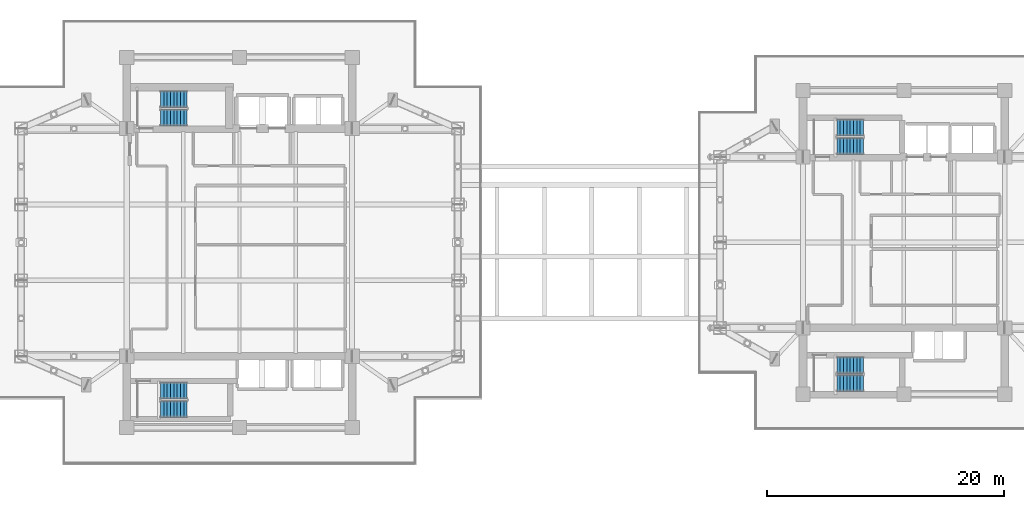
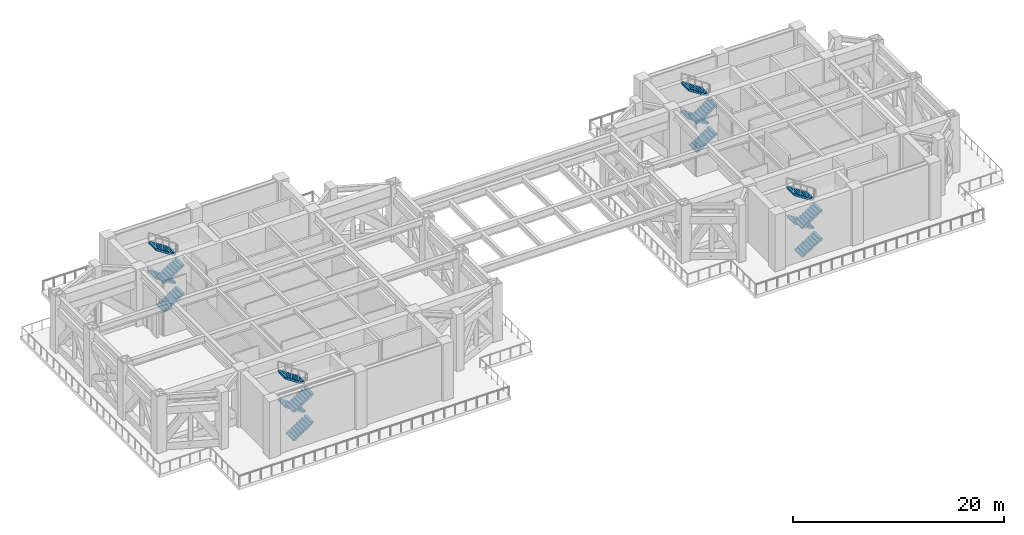
# One storey, part 14 of 21: 16 stair flights, 4 elements without a shape of their own.
"""IFC4 building model written with IfcOpenShell, lengths in metres."""

from ifc_helpers import new_model, si_unit, direction, frame, origin, place, context, subcontext, project, spatial, polyline, outline, extrude, material, type_object, element, aggregate, save


model = new_model("IFC4")

# Units and contexts
model_context = context("Model", 3, precision=1e-05, world=origin(), true_north=direction((0.0, 1.0)))
body_context = subcontext(model_context, "Body", "Model", "MODEL_VIEW")
ifc_project = project(units=[si_unit("LENGTHUNIT", "METRE"), si_unit("AREAUNIT", "SQUARE_METRE"), si_unit("VOLUMEUNIT", "CUBIC_METRE"), si_unit("PLANEANGLEUNIT", "RADIAN"), si_unit("MASSUNIT", "GRAM", prefix="KILO")], contexts=[model_context])

# Site, building, storey
site_placement = place(None, origin())
site = spatial("IfcSite", under=ifc_project, at=site_placement, CompositionType="ELEMENT")
building_placement = place(site_placement, origin())
building = spatial("IfcBuilding", under=site, at=building_placement, Name="Mirazonda Arch Towers", CompositionType="ELEMENT")
storey_placement = place(building_placement, frame((0.0, 0.0, 81.800048828125)))
storey = spatial("IfcBuildingStorey", under=building, at=storey_placement, Name="L23", CompositionType="ELEMENT", Elevation=81.800048828125)

# Stair, stair flights
ifc_material = material(Name="Concrete C40/50", Category="concrete")
stair_type = type_object("IfcStairType", Name="STAIR-CORE-1400", PredefinedType="HALF_TURN_STAIR", material=ifc_material)
stair_1_placement = place(storey_placement, origin())
stair_1 = element("IfcStair", 1, at=stair_1_placement, inside=storey, type_object=stair_type, Name="L23 Protected Exit Stair ST-T1N", PredefinedType="HALF_TURN_STAIR")
stair_flight_type = type_object("IfcStairFlightType", Name="FLIGHT-1400", PredefinedType="STRAIGHT", material=ifc_material)
stair_flight_1_placement = place(storey_placement, frame((13.85009765625, 38.52001953125, 0.0), z_axis=(0.0, 0.0, 1.0), x_axis=(1.0, 0.0, 0.0)))
stair_flight_1 = element("IfcStairFlight", 2, at=stair_flight_1_placement, type_object=stair_flight_type, Name="ST-T1N flight 1", NumberOfRisers=9, NumberOfTreads=8, PredefinedType="STRAIGHT", RiserHeight=0.183333333, TreadLength=0.28, context=body_context, shape_type="SweptSolid", body=[
    extrude(outline(polyline([(0.0, 0.0), (0.0, 0.183349609375), (0.280029296875, 0.183349609375), (0.280029296875, 0.36669921875), (0.56005859375, 0.36669921875), (0.56005859375, 0.550048828125), (0.840087890625, 0.550048828125), (0.840087890625, 0.7333984375), (1.1201171875, 0.7333984375), (1.1201171875, 0.916748046875), (1.39990234375, 0.916748046875), (1.39990234375, 1.10009765625), (1.679931640625, 1.10009765625), (1.679931640625, 1.283447265625), (1.9599609375, 1.283447265625), (1.9599609375, 1.466552734375), (2.239990234375, 1.466552734375), (2.239990234375, 1.64990234375), (2.239990234375, 1.275634765625), (0.2919921875, 0.0), (0.0, 0.0)])), frame((0.0, 0.699951171875, 0.0), z_axis=(0.0, -1.0, 0.0), x_axis=(1.0, 0.0, 0.0)), (0.0, 0.0, 1.0), 1.39990234375),
])
stair_flight_2_placement = place(storey_placement, frame((16.090087890625, 40.06005859375, 1.64990234375), z_axis=(0.0, 0.0, 1.0), x_axis=(-1.0, 0.0, 0.0)))
stair_flight_2 = element("IfcStairFlight", 3, at=stair_flight_2_placement, type_object=stair_flight_type, Name="ST-T1N flight 2", NumberOfRisers=9, NumberOfTreads=8, PredefinedType="STRAIGHT", RiserHeight=0.183333333, TreadLength=0.28, context=body_context, shape_type="SweptSolid", body=[
    extrude(outline(polyline([(0.0, 0.0), (0.0, 0.183349609375), (0.280029296875, 0.183349609375), (0.280029296875, 0.36669921875), (0.56005859375, 0.36669921875), (0.56005859375, 0.550048828125), (0.840087890625, 0.550048828125), (0.840087890625, 0.7333984375), (1.1201171875, 0.7333984375), (1.1201171875, 0.916748046875), (1.39990234375, 0.916748046875), (1.39990234375, 1.10009765625), (1.679931640625, 1.10009765625), (1.679931640625, 1.283447265625), (1.9599609375, 1.283447265625), (1.9599609375, 1.466552734375), (2.239990234375, 1.466552734375), (2.239990234375, 1.64990234375), (2.239990234375, 1.275634765625), (0.2919921875, 0.0), (0.0, 0.0)])), frame((0.0, 0.699951171875, 0.0), z_axis=(0.0, -1.0, 0.0), x_axis=(1.0, 0.0, 0.0)), (0.0, 0.0, 1.0), 1.39990234375),
])
stair_flight_3_placement = place(storey_placement, frame((13.85009765625, 38.52001953125, 3.300048828125), z_axis=(0.0, 0.0, 1.0), x_axis=(1.0, 0.0, 0.0)))
stair_flight_3 = element("IfcStairFlight", 4, at=stair_flight_3_placement, type_object=stair_flight_type, Name="ST-T1N flight 3", NumberOfRisers=9, NumberOfTreads=8, PredefinedType="STRAIGHT", RiserHeight=0.183333333, TreadLength=0.28, context=body_context, shape_type="SweptSolid", body=[
    extrude(outline(polyline([(0.0, 0.0), (0.0, 0.183349609375), (0.280029296875, 0.183349609375), (0.280029296875, 0.36669921875), (0.56005859375, 0.36669921875), (0.56005859375, 0.550048828125), (0.840087890625, 0.550048828125), (0.840087890625, 0.7333984375), (1.1201171875, 0.7333984375), (1.1201171875, 0.916748046875), (1.39990234375, 0.916748046875), (1.39990234375, 1.10009765625), (1.679931640625, 1.10009765625), (1.679931640625, 1.283447265625), (1.9599609375, 1.283447265625), (1.9599609375, 1.466552734375), (2.239990234375, 1.466552734375), (2.239990234375, 1.64990234375), (2.239990234375, 1.275634765625), (0.2919921875, 0.0), (0.0, 0.0)])), frame((0.0, 0.699951171875, 0.0), z_axis=(0.0, -1.0, 0.0), x_axis=(1.0, 0.0, 0.0)), (0.0, 0.0, 1.0), 1.39990234375),
])
stair_flight_4_placement = place(storey_placement, frame((16.090087890625, 40.06005859375, 4.949951171875), z_axis=(0.0, 0.0, 1.0), x_axis=(-1.0, 0.0, 0.0)))
stair_flight_4 = element("IfcStairFlight", 5, at=stair_flight_4_placement, type_object=stair_flight_type, Name="ST-T1N flight 4", NumberOfRisers=9, NumberOfTreads=8, PredefinedType="STRAIGHT", RiserHeight=0.183333333, TreadLength=0.28, context=body_context, shape_type="SweptSolid", body=[
    extrude(outline(polyline([(0.0, 0.0), (0.0, 0.183349609375), (0.280029296875, 0.183349609375), (0.280029296875, 0.36669921875), (0.56005859375, 0.36669921875), (0.56005859375, 0.550048828125), (0.840087890625, 0.550048828125), (0.840087890625, 0.7333984375), (1.1201171875, 0.7333984375), (1.1201171875, 0.916748046875), (1.39990234375, 0.916748046875), (1.39990234375, 1.10009765625), (1.679931640625, 1.10009765625), (1.679931640625, 1.283447265625), (1.9599609375, 1.283447265625), (1.9599609375, 1.466552734375), (2.239990234375, 1.466552734375), (2.239990234375, 1.64990234375), (2.239990234375, 1.275634765625), (0.2919921875, 0.0), (0.0, 0.0)])), frame((0.0, 0.699951171875, 0.0), z_axis=(0.0, -1.0, 0.0), x_axis=(1.0, 0.0, 0.0)), (0.0, 0.0, 1.0), 1.39990234375),
])
aggregate(stair_1, [stair_flight_1, stair_flight_2, stair_flight_3, stair_flight_4])

stair_2_placement = place(storey_placement, origin())
stair_2 = element("IfcStair", 6, at=stair_2_placement, inside=storey, type_object=stair_type, Name="L23 Protected Exit Stair ST-T1S", PredefinedType="HALF_TURN_STAIR")
stair_flight_5_placement = place(storey_placement, frame((13.85009765625, 13.949951171875, 0.0), z_axis=(0.0, 0.0, 1.0), x_axis=(1.0, 0.0, 0.0)))
stair_flight_5 = element("IfcStairFlight", 7, at=stair_flight_5_placement, type_object=stair_flight_type, Name="ST-T1S flight 1", NumberOfRisers=9, NumberOfTreads=8, PredefinedType="STRAIGHT", RiserHeight=0.183333333, TreadLength=0.28, context=body_context, shape_type="SweptSolid", body=[
    extrude(outline(polyline([(0.0, 0.0), (0.0, 0.183349609375), (0.280029296875, 0.183349609375), (0.280029296875, 0.36669921875), (0.56005859375, 0.36669921875), (0.56005859375, 0.550048828125), (0.840087890625, 0.550048828125), (0.840087890625, 0.7333984375), (1.1201171875, 0.7333984375), (1.1201171875, 0.916748046875), (1.39990234375, 0.916748046875), (1.39990234375, 1.10009765625), (1.679931640625, 1.10009765625), (1.679931640625, 1.283447265625), (1.9599609375, 1.283447265625), (1.9599609375, 1.466552734375), (2.239990234375, 1.466552734375), (2.239990234375, 1.64990234375), (2.239990234375, 1.275634765625), (0.2919921875, 0.0), (0.0, 0.0)])), frame((0.0, 0.699951171875, 0.0), z_axis=(0.0, -1.0, 0.0), x_axis=(1.0, 0.0, 0.0)), (0.0, 0.0, 1.0), 1.39990234375),
])
stair_flight_6_placement = place(storey_placement, frame((16.090087890625, 15.489990234375, 1.64990234375), z_axis=(0.0, 0.0, 1.0), x_axis=(-1.0, 0.0, 0.0)))
stair_flight_6 = element("IfcStairFlight", 8, at=stair_flight_6_placement, type_object=stair_flight_type, Name="ST-T1S flight 2", NumberOfRisers=9, NumberOfTreads=8, PredefinedType="STRAIGHT", RiserHeight=0.183333333, TreadLength=0.28, context=body_context, shape_type="SweptSolid", body=[
    extrude(outline(polyline([(0.0, 0.0), (0.0, 0.183349609375), (0.280029296875, 0.183349609375), (0.280029296875, 0.36669921875), (0.56005859375, 0.36669921875), (0.56005859375, 0.550048828125), (0.840087890625, 0.550048828125), (0.840087890625, 0.7333984375), (1.1201171875, 0.7333984375), (1.1201171875, 0.916748046875), (1.39990234375, 0.916748046875), (1.39990234375, 1.10009765625), (1.679931640625, 1.10009765625), (1.679931640625, 1.283447265625), (1.9599609375, 1.283447265625), (1.9599609375, 1.466552734375), (2.239990234375, 1.466552734375), (2.239990234375, 1.64990234375), (2.239990234375, 1.275634765625), (0.2919921875, 0.0), (0.0, 0.0)])), frame((0.0, 0.699951171875, 0.0), z_axis=(0.0, -1.0, 0.0), x_axis=(1.0, 0.0, 0.0)), (0.0, 0.0, 1.0), 1.39990234375),
])
stair_flight_7_placement = place(storey_placement, frame((13.85009765625, 13.949951171875, 3.300048828125), z_axis=(0.0, 0.0, 1.0), x_axis=(1.0, 0.0, 0.0)))
stair_flight_7 = element("IfcStairFlight", 9, at=stair_flight_7_placement, type_object=stair_flight_type, Name="ST-T1S flight 3", NumberOfRisers=9, NumberOfTreads=8, PredefinedType="STRAIGHT", RiserHeight=0.183333333, TreadLength=0.28, context=body_context, shape_type="SweptSolid", body=[
    extrude(outline(polyline([(0.0, 0.0), (0.0, 0.183349609375), (0.280029296875, 0.183349609375), (0.280029296875, 0.36669921875), (0.56005859375, 0.36669921875), (0.56005859375, 0.550048828125), (0.840087890625, 0.550048828125), (0.840087890625, 0.7333984375), (1.1201171875, 0.7333984375), (1.1201171875, 0.916748046875), (1.39990234375, 0.916748046875), (1.39990234375, 1.10009765625), (1.679931640625, 1.10009765625), (1.679931640625, 1.283447265625), (1.9599609375, 1.283447265625), (1.9599609375, 1.466552734375), (2.239990234375, 1.466552734375), (2.239990234375, 1.64990234375), (2.239990234375, 1.275634765625), (0.2919921875, 0.0), (0.0, 0.0)])), frame((0.0, 0.699951171875, 0.0), z_axis=(0.0, -1.0, 0.0), x_axis=(1.0, 0.0, 0.0)), (0.0, 0.0, 1.0), 1.39990234375),
])
stair_flight_8_placement = place(storey_placement, frame((16.090087890625, 15.489990234375, 4.949951171875), z_axis=(0.0, 0.0, 1.0), x_axis=(-1.0, 0.0, 0.0)))
stair_flight_8 = element("IfcStairFlight", 10, at=stair_flight_8_placement, type_object=stair_flight_type, Name="ST-T1S flight 4", NumberOfRisers=9, NumberOfTreads=8, PredefinedType="STRAIGHT", RiserHeight=0.183333333, TreadLength=0.28, context=body_context, shape_type="SweptSolid", body=[
    extrude(outline(polyline([(0.0, 0.0), (0.0, 0.183349609375), (0.280029296875, 0.183349609375), (0.280029296875, 0.36669921875), (0.56005859375, 0.36669921875), (0.56005859375, 0.550048828125), (0.840087890625, 0.550048828125), (0.840087890625, 0.7333984375), (1.1201171875, 0.7333984375), (1.1201171875, 0.916748046875), (1.39990234375, 0.916748046875), (1.39990234375, 1.10009765625), (1.679931640625, 1.10009765625), (1.679931640625, 1.283447265625), (1.9599609375, 1.283447265625), (1.9599609375, 1.466552734375), (2.239990234375, 1.466552734375), (2.239990234375, 1.64990234375), (2.239990234375, 1.275634765625), (0.2919921875, 0.0), (0.0, 0.0)])), frame((0.0, 0.699951171875, 0.0), z_axis=(0.0, -1.0, 0.0), x_axis=(1.0, 0.0, 0.0)), (0.0, 0.0, 1.0), 1.39990234375),
])
aggregate(stair_2, [stair_flight_5, stair_flight_6, stair_flight_7, stair_flight_8])

stair_3_placement = place(storey_placement, origin())
stair_3 = element("IfcStair", 11, at=stair_3_placement, inside=storey, type_object=stair_type, Name="L23 Protected Exit Stair ST-T2N", PredefinedType="HALF_TURN_STAIR")
stair_flight_9_placement = place(storey_placement, frame((70.85009765625, 36.1201171875, 0.0), z_axis=(0.0, 0.0, 1.0), x_axis=(1.0, 0.0, 0.0)))
stair_flight_9 = element("IfcStairFlight", 12, at=stair_flight_9_placement, type_object=stair_flight_type, Name="ST-T2N flight 1", NumberOfRisers=9, NumberOfTreads=8, PredefinedType="STRAIGHT", RiserHeight=0.183333333, TreadLength=0.28, context=body_context, shape_type="SweptSolid", body=[
    extrude(outline(polyline([(0.0, 0.0), (0.0, 0.183349609375), (0.280029296875, 0.183349609375), (0.280029296875, 0.36669921875), (0.56005859375, 0.36669921875), (0.56005859375, 0.550048828125), (0.840087890625, 0.550048828125), (0.840087890625, 0.7333984375), (1.1201171875, 0.7333984375), (1.1201171875, 0.916748046875), (1.39990234375, 0.916748046875), (1.39990234375, 1.10009765625), (1.679931640625, 1.10009765625), (1.679931640625, 1.283447265625), (1.9599609375, 1.283447265625), (1.9599609375, 1.466552734375), (2.239990234375, 1.466552734375), (2.239990234375, 1.64990234375), (2.239990234375, 1.275634765625), (0.2919921875, 0.0), (0.0, 0.0)])), frame((0.0, 0.699951171875, 0.0), z_axis=(0.0, -1.0, 0.0), x_axis=(1.0, 0.0, 0.0)), (0.0, 0.0, 1.0), 1.39990234375),
])
stair_flight_10_placement = place(storey_placement, frame((73.090087890625, 37.659912109375, 1.64990234375), z_axis=(0.0, 0.0, 1.0), x_axis=(-1.0, 0.0, 0.0)))
stair_flight_10 = element("IfcStairFlight", 13, at=stair_flight_10_placement, type_object=stair_flight_type, Name="ST-T2N flight 2", NumberOfRisers=9, NumberOfTreads=8, PredefinedType="STRAIGHT", RiserHeight=0.183333333, TreadLength=0.28, context=body_context, shape_type="SweptSolid", body=[
    extrude(outline(polyline([(0.0, 0.0), (0.0, 0.183349609375), (0.280029296875, 0.183349609375), (0.280029296875, 0.36669921875), (0.56005859375, 0.36669921875), (0.56005859375, 0.550048828125), (0.840087890625, 0.550048828125), (0.840087890625, 0.7333984375), (1.1201171875, 0.7333984375), (1.1201171875, 0.916748046875), (1.39990234375, 0.916748046875), (1.39990234375, 1.10009765625), (1.679931640625, 1.10009765625), (1.679931640625, 1.283447265625), (1.9599609375, 1.283447265625), (1.9599609375, 1.466552734375), (2.239990234375, 1.466552734375), (2.239990234375, 1.64990234375), (2.239990234375, 1.275634765625), (0.2919921875, 0.0), (0.0, 0.0)])), frame((0.0, 0.699951171875, 0.0), z_axis=(0.0, -1.0, 0.0), x_axis=(1.0, 0.0, 0.0)), (0.0, 0.0, 1.0), 1.39990234375),
])
stair_flight_11_placement = place(storey_placement, frame((70.85009765625, 36.1201171875, 3.300048828125), z_axis=(0.0, 0.0, 1.0), x_axis=(1.0, 0.0, 0.0)))
stair_flight_11 = element("IfcStairFlight", 14, at=stair_flight_11_placement, type_object=stair_flight_type, Name="ST-T2N flight 3", NumberOfRisers=9, NumberOfTreads=8, PredefinedType="STRAIGHT", RiserHeight=0.183333333, TreadLength=0.28, context=body_context, shape_type="SweptSolid", body=[
    extrude(outline(polyline([(0.0, 0.0), (0.0, 0.183349609375), (0.280029296875, 0.183349609375), (0.280029296875, 0.36669921875), (0.56005859375, 0.36669921875), (0.56005859375, 0.550048828125), (0.840087890625, 0.550048828125), (0.840087890625, 0.7333984375), (1.1201171875, 0.7333984375), (1.1201171875, 0.916748046875), (1.39990234375, 0.916748046875), (1.39990234375, 1.10009765625), (1.679931640625, 1.10009765625), (1.679931640625, 1.283447265625), (1.9599609375, 1.283447265625), (1.9599609375, 1.466552734375), (2.239990234375, 1.466552734375), (2.239990234375, 1.64990234375), (2.239990234375, 1.275634765625), (0.2919921875, 0.0), (0.0, 0.0)])), frame((0.0, 0.699951171875, 0.0), z_axis=(0.0, -1.0, 0.0), x_axis=(1.0, 0.0, 0.0)), (0.0, 0.0, 1.0), 1.39990234375),
])
stair_flight_12_placement = place(storey_placement, frame((73.090087890625, 37.659912109375, 4.949951171875), z_axis=(0.0, 0.0, 1.0), x_axis=(-1.0, 0.0, 0.0)))
stair_flight_12 = element("IfcStairFlight", 15, at=stair_flight_12_placement, type_object=stair_flight_type, Name="ST-T2N flight 4", NumberOfRisers=9, NumberOfTreads=8, PredefinedType="STRAIGHT", RiserHeight=0.183333333, TreadLength=0.28, context=body_context, shape_type="SweptSolid", body=[
    extrude(outline(polyline([(0.0, 0.0), (0.0, 0.183349609375), (0.280029296875, 0.183349609375), (0.280029296875, 0.36669921875), (0.56005859375, 0.36669921875), (0.56005859375, 0.550048828125), (0.840087890625, 0.550048828125), (0.840087890625, 0.7333984375), (1.1201171875, 0.7333984375), (1.1201171875, 0.916748046875), (1.39990234375, 0.916748046875), (1.39990234375, 1.10009765625), (1.679931640625, 1.10009765625), (1.679931640625, 1.283447265625), (1.9599609375, 1.283447265625), (1.9599609375, 1.466552734375), (2.239990234375, 1.466552734375), (2.239990234375, 1.64990234375), (2.239990234375, 1.275634765625), (0.2919921875, 0.0), (0.0, 0.0)])), frame((0.0, 0.699951171875, 0.0), z_axis=(0.0, -1.0, 0.0), x_axis=(1.0, 0.0, 0.0)), (0.0, 0.0, 1.0), 1.39990234375),
])
aggregate(stair_3, [stair_flight_9, stair_flight_10, stair_flight_11, stair_flight_12])

stair_4_placement = place(storey_placement, origin())
stair_4 = element("IfcStair", 16, at=stair_4_placement, inside=storey, type_object=stair_type, Name="L23 Protected Exit Stair ST-T2S", PredefinedType="HALF_TURN_STAIR")
stair_flight_13_placement = place(storey_placement, frame((70.85009765625, 16.1201171875, 0.0), z_axis=(0.0, 0.0, 1.0), x_axis=(1.0, 0.0, 0.0)))
stair_flight_13 = element("IfcStairFlight", 17, at=stair_flight_13_placement, type_object=stair_flight_type, Name="ST-T2S flight 1", NumberOfRisers=9, NumberOfTreads=8, PredefinedType="STRAIGHT", RiserHeight=0.183333333, TreadLength=0.28, context=body_context, shape_type="SweptSolid", body=[
    extrude(outline(polyline([(0.0, 0.0), (0.0, 0.183349609375), (0.280029296875, 0.183349609375), (0.280029296875, 0.36669921875), (0.56005859375, 0.36669921875), (0.56005859375, 0.550048828125), (0.840087890625, 0.550048828125), (0.840087890625, 0.7333984375), (1.1201171875, 0.7333984375), (1.1201171875, 0.916748046875), (1.39990234375, 0.916748046875), (1.39990234375, 1.10009765625), (1.679931640625, 1.10009765625), (1.679931640625, 1.283447265625), (1.9599609375, 1.283447265625), (1.9599609375, 1.466552734375), (2.239990234375, 1.466552734375), (2.239990234375, 1.64990234375), (2.239990234375, 1.275634765625), (0.2919921875, 0.0), (0.0, 0.0)])), frame((0.0, 0.699951171875, 0.0), z_axis=(0.0, -1.0, 0.0), x_axis=(1.0, 0.0, 0.0)), (0.0, 0.0, 1.0), 1.39990234375),
])
stair_flight_14_placement = place(storey_placement, frame((73.090087890625, 17.659912109375, 1.64990234375), z_axis=(0.0, 0.0, 1.0), x_axis=(-1.0, 0.0, 0.0)))
stair_flight_14 = element("IfcStairFlight", 18, at=stair_flight_14_placement, type_object=stair_flight_type, Name="ST-T2S flight 2", NumberOfRisers=9, NumberOfTreads=8, PredefinedType="STRAIGHT", RiserHeight=0.183333333, TreadLength=0.28, context=body_context, shape_type="SweptSolid", body=[
    extrude(outline(polyline([(0.0, 0.0), (0.0, 0.183349609375), (0.280029296875, 0.183349609375), (0.280029296875, 0.36669921875), (0.56005859375, 0.36669921875), (0.56005859375, 0.550048828125), (0.840087890625, 0.550048828125), (0.840087890625, 0.7333984375), (1.1201171875, 0.7333984375), (1.1201171875, 0.916748046875), (1.39990234375, 0.916748046875), (1.39990234375, 1.10009765625), (1.679931640625, 1.10009765625), (1.679931640625, 1.283447265625), (1.9599609375, 1.283447265625), (1.9599609375, 1.466552734375), (2.239990234375, 1.466552734375), (2.239990234375, 1.64990234375), (2.239990234375, 1.275634765625), (0.2919921875, 0.0), (0.0, 0.0)])), frame((0.0, 0.699951171875, 0.0), z_axis=(0.0, -1.0, 0.0), x_axis=(1.0, 0.0, 0.0)), (0.0, 0.0, 1.0), 1.39990234375),
])
stair_flight_15_placement = place(storey_placement, frame((70.85009765625, 16.1201171875, 3.300048828125), z_axis=(0.0, 0.0, 1.0), x_axis=(1.0, 0.0, 0.0)))
stair_flight_15 = element("IfcStairFlight", 19, at=stair_flight_15_placement, type_object=stair_flight_type, Name="ST-T2S flight 3", NumberOfRisers=9, NumberOfTreads=8, PredefinedType="STRAIGHT", RiserHeight=0.183333333, TreadLength=0.28, context=body_context, shape_type="SweptSolid", body=[
    extrude(outline(polyline([(0.0, 0.0), (0.0, 0.183349609375), (0.280029296875, 0.183349609375), (0.280029296875, 0.36669921875), (0.56005859375, 0.36669921875), (0.56005859375, 0.550048828125), (0.840087890625, 0.550048828125), (0.840087890625, 0.7333984375), (1.1201171875, 0.7333984375), (1.1201171875, 0.916748046875), (1.39990234375, 0.916748046875), (1.39990234375, 1.10009765625), (1.679931640625, 1.10009765625), (1.679931640625, 1.283447265625), (1.9599609375, 1.283447265625), (1.9599609375, 1.466552734375), (2.239990234375, 1.466552734375), (2.239990234375, 1.64990234375), (2.239990234375, 1.275634765625), (0.2919921875, 0.0), (0.0, 0.0)])), frame((0.0, 0.699951171875, 0.0), z_axis=(0.0, -1.0, 0.0), x_axis=(1.0, 0.0, 0.0)), (0.0, 0.0, 1.0), 1.39990234375),
])
stair_flight_16_placement = place(storey_placement, frame((73.090087890625, 17.659912109375, 4.949951171875), z_axis=(0.0, 0.0, 1.0), x_axis=(-1.0, 0.0, 0.0)))
stair_flight_16 = element("IfcStairFlight", 20, at=stair_flight_16_placement, type_object=stair_flight_type, Name="ST-T2S flight 4", NumberOfRisers=9, NumberOfTreads=8, PredefinedType="STRAIGHT", RiserHeight=0.183333333, TreadLength=0.28, context=body_context, shape_type="SweptSolid", body=[
    extrude(outline(polyline([(0.0, 0.0), (0.0, 0.183349609375), (0.280029296875, 0.183349609375), (0.280029296875, 0.36669921875), (0.56005859375, 0.36669921875), (0.56005859375, 0.550048828125), (0.840087890625, 0.550048828125), (0.840087890625, 0.7333984375), (1.1201171875, 0.7333984375), (1.1201171875, 0.916748046875), (1.39990234375, 0.916748046875), (1.39990234375, 1.10009765625), (1.679931640625, 1.10009765625), (1.679931640625, 1.283447265625), (1.9599609375, 1.283447265625), (1.9599609375, 1.466552734375), (2.239990234375, 1.466552734375), (2.239990234375, 1.64990234375), (2.239990234375, 1.275634765625), (0.2919921875, 0.0), (0.0, 0.0)])), frame((0.0, 0.699951171875, 0.0), z_axis=(0.0, -1.0, 0.0), x_axis=(1.0, 0.0, 0.0)), (0.0, 0.0, 1.0), 1.39990234375),
])
aggregate(stair_4, [stair_flight_13, stair_flight_14, stair_flight_15, stair_flight_16])

save(model, "model.ifc")
